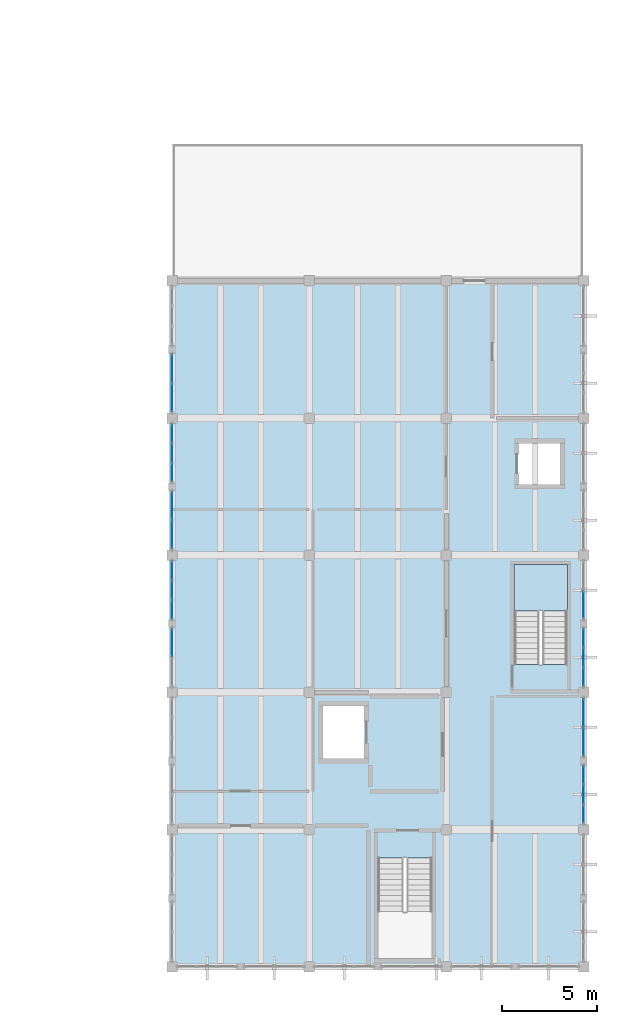
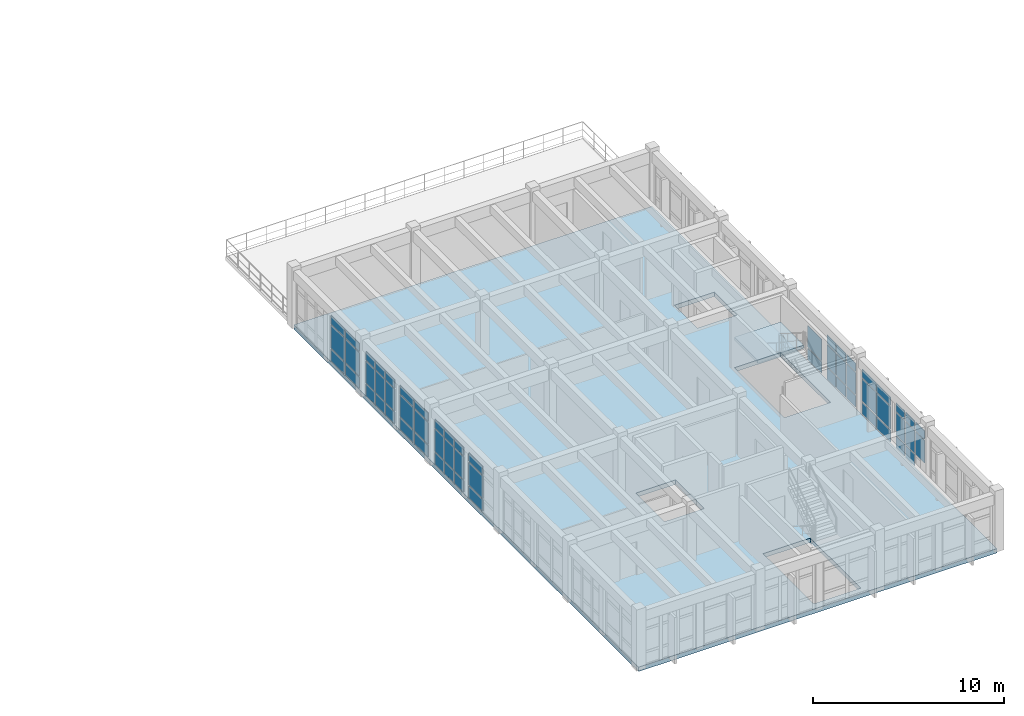
# One storey, part 13 of 22: 58 plates, 2 slabs, 10 elements without a shape of their own.
"""IFC4 building model written with IfcOpenShell, lengths in metres."""

from ifc_helpers import new_model, si_unit, direction, frame, origin, origin_2d, place, context, subcontext, project, spatial, polyline, rectangle, outline, extrude, material, layer, layer_set, type_object, element, aggregate, save


model = new_model("IFC4")

# Units and contexts
model_context = context("Model", 3, precision=1e-05, world=origin(), true_north=direction((0.0, 1.0)))
body_context = subcontext(model_context, "Body", "Model", "MODEL_VIEW")
ifc_project = project(units=[si_unit("LENGTHUNIT", "METRE"), si_unit("AREAUNIT", "SQUARE_METRE"), si_unit("VOLUMEUNIT", "CUBIC_METRE"), si_unit("PLANEANGLEUNIT", "RADIAN"), si_unit("MASSUNIT", "GRAM", prefix="KILO")], contexts=[model_context])

# Site, building, storey
site_placement = place(None, origin())
site = spatial("IfcSite", under=ifc_project, at=site_placement, CompositionType="ELEMENT")
building_placement = place(site_placement, origin())
building = spatial("IfcBuilding", under=site, at=building_placement, Name="Koriwan Promenade Central Fire Station", CompositionType="ELEMENT")
storey_placement = place(building_placement, frame((0.0, 0.0, 17.39990234375)))
storey = spatial("IfcBuildingStorey", under=building, at=storey_placement, Name="L04", CompositionType="ELEMENT", Elevation=17.39990234375)

# Curtain wall, plates
ifc_material_1 = material(Name="Aluminium EN AW-6063-T6 and low-E glazing", Category="aluminium")
ifc_layer_1 = layer(ifc_material_1, 0.159912109375, Name="Aluminium EN AW-6063-T6 and low-E glazing")
ifc_layer_set_1 = layer_set([ifc_layer_1], Name="Aluminium EN AW-6063-T6 and low-E glazing")
curtain_wall_type_1 = type_object("IfcCurtainWallType", Name="CurtainWall_85_312x301", PredefinedType="USERDEFINED", material=ifc_layer_set_1)
curtain_wall_1_placement = place(storey_placement, origin())
curtain_wall_1 = element("IfcCurtainWall", 1, at=curtain_wall_1_placement, inside=storey, type_object=curtain_wall_type_1, Name="V5 L04 unitised curtain wall 254", ObjectType="UNITISED CURTAIN WALL", PredefinedType="USERDEFINED")
ifc_material_2 = material(Name="Low-E laminated double glazing", Category="glass")
ifc_layer_2 = layer(ifc_material_2, 0.028076171875, Name="Low-E laminated double glazing")
ifc_layer_set_2 = layer_set([ifc_layer_2], Name="Low-E laminated double glazing")
plate_type_1 = type_object("IfcPlateType", Name="CWPanel_28", PredefinedType="CURTAIN_PANEL", material=ifc_layer_set_2)
plate_1_placement = place(storey_placement, frame((172.800048828125, 11.80126953125, 0.080078125), z_axis=(0.0, 0.0, 1.0), x_axis=(0.0, 1.0, 0.0)))
plate_1 = element("IfcPlate", 2, at=plate_1_placement, type_object=plate_type_1, Name="CW-85 panel 1.1", PredefinedType="CURTAIN_PANEL", context=body_context, shape_type="SweptSolid", body=[
    extrude(rectangle(XDim=1.4423828125, YDim=0.028076171875, at=origin_2d()), origin(), (0.0, 0.0, 1.0), 0.72998046875),
])
plate_2_placement = place(storey_placement, frame((172.800048828125, 11.80126953125, 0.89013671875), z_axis=(0.0, 0.0, 1.0), x_axis=(0.0, 1.0, 0.0)))
plate_2 = element("IfcPlate", 3, at=plate_2_placement, type_object=plate_type_1, Name="CW-85 panel 1.2", PredefinedType="CURTAIN_PANEL", context=body_context, shape_type="SweptSolid", body=[
    extrude(rectangle(XDim=1.4423828125, YDim=0.028076171875, at=origin_2d()), origin(), (0.0, 0.0, 1.0), 1.429931640625),
])
plate_3_placement = place(storey_placement, frame((172.800048828125, 11.80126953125, 2.39990234375), z_axis=(0.0, 0.0, 1.0), x_axis=(0.0, 1.0, 0.0)))
plate_3 = element("IfcPlate", 4, at=plate_3_placement, type_object=plate_type_1, Name="CW-85 panel 1.3", PredefinedType="CURTAIN_PANEL", context=body_context, shape_type="SweptSolid", body=[
    extrude(rectangle(XDim=1.4423828125, YDim=0.028076171875, at=origin_2d()), origin(), (0.0, 0.0, 1.0), 0.530029296875),
])
plate_4_placement = place(storey_placement, frame((172.800048828125, 13.32373046875, 0.080078125), z_axis=(0.0, 0.0, 1.0), x_axis=(0.0, 1.0, 0.0)))
plate_4 = element("IfcPlate", 5, at=plate_4_placement, type_object=plate_type_1, Name="CW-85 panel 2.1", PredefinedType="CURTAIN_PANEL", context=body_context, shape_type="SweptSolid", body=[
    extrude(rectangle(XDim=1.4423828125, YDim=0.028076171875, at=origin_2d()), origin(), (0.0, 0.0, 1.0), 0.72998046875),
])
plate_5_placement = place(storey_placement, frame((172.800048828125, 13.32373046875, 0.89013671875), z_axis=(0.0, 0.0, 1.0), x_axis=(0.0, 1.0, 0.0)))
plate_5 = element("IfcPlate", 6, at=plate_5_placement, type_object=plate_type_1, Name="CW-85 panel 2.2", PredefinedType="CURTAIN_PANEL", context=body_context, shape_type="SweptSolid", body=[
    extrude(rectangle(XDim=1.4423828125, YDim=0.028076171875, at=origin_2d()), origin(), (0.0, 0.0, 1.0), 1.429931640625),
])
plate_6_placement = place(storey_placement, frame((172.800048828125, 13.32373046875, 2.39990234375), z_axis=(0.0, 0.0, 1.0), x_axis=(0.0, 1.0, 0.0)))
plate_6 = element("IfcPlate", 7, at=plate_6_placement, type_object=plate_type_1, Name="CW-85 panel 2.3", PredefinedType="CURTAIN_PANEL", context=body_context, shape_type="SweptSolid", body=[
    extrude(rectangle(XDim=1.4423828125, YDim=0.028076171875, at=origin_2d()), origin(), (0.0, 0.0, 1.0), 0.530029296875),
])
aggregate(curtain_wall_1, [plate_1, plate_2, plate_3, plate_4, plate_5, plate_6])

ifc_layer_3 = layer(ifc_material_1, 0.159912109375, Name="Aluminium EN AW-6063-T6 and low-E glazing")
ifc_layer_set_3 = layer_set([ifc_layer_3], Name="Aluminium EN AW-6063-T6 and low-E glazing")
curtain_wall_type_2 = type_object("IfcCurtainWallType", Name="CurtainWall_83_312x296", PredefinedType="USERDEFINED", material=ifc_layer_set_3)
curtain_wall_2_placement = place(storey_placement, origin())
curtain_wall_2 = element("IfcCurtainWall", 8, at=curtain_wall_2_placement, inside=storey, type_object=curtain_wall_type_2, Name="V5 L04 unitised curtain wall 256", ObjectType="UNITISED CURTAIN WALL", PredefinedType="USERDEFINED")
plate_7_placement = place(storey_placement, frame((172.800048828125, 19.001220703125, 0.080078125), z_axis=(0.0, 0.0, 1.0), x_axis=(0.0, 1.0, 0.0)))
plate_7 = element("IfcPlate", 9, at=plate_7_placement, type_object=plate_type_1, Name="CW-83 panel 1.1", PredefinedType="CURTAIN_PANEL", context=body_context, shape_type="SweptSolid", body=[
    extrude(rectangle(XDim=1.4423828125, YDim=0.028076171875, at=origin_2d()), origin(), (0.0, 0.0, 1.0), 0.72998046875),
])
plate_8_placement = place(storey_placement, frame((172.800048828125, 19.001220703125, 0.89013671875), z_axis=(0.0, 0.0, 1.0), x_axis=(0.0, 1.0, 0.0)))
plate_8 = element("IfcPlate", 10, at=plate_8_placement, type_object=plate_type_1, Name="CW-83 panel 1.2", PredefinedType="CURTAIN_PANEL", context=body_context, shape_type="SweptSolid", body=[
    extrude(rectangle(XDim=1.4423828125, YDim=0.028076171875, at=origin_2d()), origin(), (0.0, 0.0, 1.0), 1.3798828125),
])
aggregate(curtain_wall_2, [plate_7, plate_8])

ifc_layer_4 = layer(ifc_material_1, 0.159912109375, Name="Aluminium EN AW-6063-T6 and low-E glazing")
ifc_layer_set_4 = layer_set([ifc_layer_4], Name="Aluminium EN AW-6063-T6 and low-E glazing")
curtain_wall_type_3 = type_object("IfcCurtainWallType", Name="CurtainWall_89_313x305", PredefinedType="USERDEFINED", material=ifc_layer_set_4)
curtain_wall_3_placement = place(storey_placement, origin())
curtain_wall_3 = element("IfcCurtainWall", 11, at=curtain_wall_3_placement, inside=storey, type_object=curtain_wall_type_3, Name="V5 L04 unitised curtain wall 262", ObjectType="UNITISED CURTAIN WALL", PredefinedType="USERDEFINED")
plate_9_placement = place(storey_placement, frame((151.199951171875, 31.398681640625, 0.080078125), z_axis=(0.0, 0.0, 1.0), x_axis=(0.0, -1.0, 0.0)))
plate_9 = element("IfcPlate", 12, at=plate_9_placement, type_object=plate_type_1, Name="CW-89 panel 1.1", PredefinedType="CURTAIN_PANEL", context=body_context, shape_type="SweptSolid", body=[
    extrude(rectangle(XDim=1.4423828125, YDim=0.028076171875, at=origin_2d()), origin(), (0.0, 0.0, 1.0), 0.72998046875),
])
plate_10_placement = place(storey_placement, frame((151.199951171875, 31.398681640625, 0.89013671875), z_axis=(0.0, 0.0, 1.0), x_axis=(0.0, -1.0, 0.0)))
plate_10 = element("IfcPlate", 13, at=plate_10_placement, type_object=plate_type_1, Name="CW-89 panel 1.2", PredefinedType="CURTAIN_PANEL", context=body_context, shape_type="SweptSolid", body=[
    extrude(rectangle(XDim=1.4423828125, YDim=0.028076171875, at=origin_2d()), origin(), (0.0, 0.0, 1.0), 1.469970703125),
])
plate_11_placement = place(storey_placement, frame((151.199951171875, 31.398681640625, 2.43994140625), z_axis=(0.0, 0.0, 1.0), x_axis=(0.0, -1.0, 0.0)))
plate_11 = element("IfcPlate", 14, at=plate_11_placement, type_object=plate_type_1, Name="CW-89 panel 1.3", PredefinedType="CURTAIN_PANEL", context=body_context, shape_type="SweptSolid", body=[
    extrude(rectangle(XDim=1.4423828125, YDim=0.028076171875, at=origin_2d()), origin(), (0.0, 0.0, 1.0), 0.530029296875),
])
plate_12_placement = place(storey_placement, frame((151.199951171875, 29.876220703125, 0.080078125), z_axis=(0.0, 0.0, 1.0), x_axis=(0.0, -1.0, 0.0)))
plate_12 = element("IfcPlate", 15, at=plate_12_placement, type_object=plate_type_1, Name="CW-89 panel 2.1", PredefinedType="CURTAIN_PANEL", context=body_context, shape_type="SweptSolid", body=[
    extrude(rectangle(XDim=1.4423828125, YDim=0.028076171875, at=origin_2d()), origin(), (0.0, 0.0, 1.0), 0.72998046875),
])
plate_13_placement = place(storey_placement, frame((151.199951171875, 29.876220703125, 0.89013671875), z_axis=(0.0, 0.0, 1.0), x_axis=(0.0, -1.0, 0.0)))
plate_13 = element("IfcPlate", 16, at=plate_13_placement, type_object=plate_type_1, Name="CW-89 panel 2.2", PredefinedType="CURTAIN_PANEL", context=body_context, shape_type="SweptSolid", body=[
    extrude(rectangle(XDim=1.4423828125, YDim=0.028076171875, at=origin_2d()), origin(), (0.0, 0.0, 1.0), 1.469970703125),
])
plate_14_placement = place(storey_placement, frame((151.199951171875, 29.876220703125, 2.43994140625), z_axis=(0.0, 0.0, 1.0), x_axis=(0.0, -1.0, 0.0)))
plate_14 = element("IfcPlate", 17, at=plate_14_placement, type_object=plate_type_1, Name="CW-89 panel 2.3", PredefinedType="CURTAIN_PANEL", context=body_context, shape_type="SweptSolid", body=[
    extrude(rectangle(XDim=1.4423828125, YDim=0.028076171875, at=origin_2d()), origin(), (0.0, 0.0, 1.0), 0.530029296875),
])
aggregate(curtain_wall_3, [plate_9, plate_10, plate_11, plate_12, plate_13, plate_14])

curtain_wall_4_placement = place(storey_placement, origin())
curtain_wall_4 = element("IfcCurtainWall", 18, at=curtain_wall_4_placement, inside=storey, type_object=curtain_wall_type_2, Name="V5 L04 unitised curtain wall 264", ObjectType="UNITISED CURTAIN WALL", PredefinedType="USERDEFINED")
plate_15_placement = place(storey_placement, frame((151.199951171875, 24.19873046875, 0.080078125), z_axis=(0.0, 0.0, 1.0), x_axis=(0.0, -1.0, 0.0)))
plate_15 = element("IfcPlate", 19, at=plate_15_placement, type_object=plate_type_1, Name="CW-83 panel 1.1", PredefinedType="CURTAIN_PANEL", context=body_context, shape_type="SweptSolid", body=[
    extrude(rectangle(XDim=1.4423828125, YDim=0.028076171875, at=origin_2d()), origin(), (0.0, 0.0, 1.0), 0.72998046875),
])
plate_16_placement = place(storey_placement, frame((151.199951171875, 24.19873046875, 0.89013671875), z_axis=(0.0, 0.0, 1.0), x_axis=(0.0, -1.0, 0.0)))
plate_16 = element("IfcPlate", 20, at=plate_16_placement, type_object=plate_type_1, Name="CW-83 panel 1.2", PredefinedType="CURTAIN_PANEL", context=body_context, shape_type="SweptSolid", body=[
    extrude(rectangle(XDim=1.4423828125, YDim=0.028076171875, at=origin_2d()), origin(), (0.0, 0.0, 1.0), 1.3798828125),
])
plate_17_placement = place(storey_placement, frame((151.199951171875, 24.19873046875, 2.35009765625), z_axis=(0.0, 0.0, 1.0), x_axis=(0.0, -1.0, 0.0)))
plate_17 = element("IfcPlate", 21, at=plate_17_placement, type_object=plate_type_1, Name="CW-83 panel 1.3", PredefinedType="CURTAIN_PANEL", context=body_context, shape_type="SweptSolid", body=[
    extrude(rectangle(XDim=1.4423828125, YDim=0.028076171875, at=origin_2d()), origin(), (0.0, 0.0, 1.0), 0.530029296875),
])
plate_18_placement = place(storey_placement, frame((151.199951171875, 22.67626953125, 0.080078125), z_axis=(0.0, 0.0, 1.0), x_axis=(0.0, -1.0, 0.0)))
plate_18 = element("IfcPlate", 22, at=plate_18_placement, type_object=plate_type_1, Name="CW-83 panel 2.1", PredefinedType="CURTAIN_PANEL", context=body_context, shape_type="SweptSolid", body=[
    extrude(rectangle(XDim=1.4423828125, YDim=0.028076171875, at=origin_2d()), origin(), (0.0, 0.0, 1.0), 0.72998046875),
])
plate_19_placement = place(storey_placement, frame((151.199951171875, 22.67626953125, 0.89013671875), z_axis=(0.0, 0.0, 1.0), x_axis=(0.0, -1.0, 0.0)))
plate_19 = element("IfcPlate", 23, at=plate_19_placement, type_object=plate_type_1, Name="CW-83 panel 2.2", PredefinedType="CURTAIN_PANEL", context=body_context, shape_type="SweptSolid", body=[
    extrude(rectangle(XDim=1.4423828125, YDim=0.028076171875, at=origin_2d()), origin(), (0.0, 0.0, 1.0), 1.3798828125),
])
plate_20_placement = place(storey_placement, frame((151.199951171875, 22.67626953125, 2.35009765625), z_axis=(0.0, 0.0, 1.0), x_axis=(0.0, -1.0, 0.0)))
plate_20 = element("IfcPlate", 24, at=plate_20_placement, type_object=plate_type_1, Name="CW-83 panel 2.3", PredefinedType="CURTAIN_PANEL", context=body_context, shape_type="SweptSolid", body=[
    extrude(rectangle(XDim=1.4423828125, YDim=0.028076171875, at=origin_2d()), origin(), (0.0, 0.0, 1.0), 0.530029296875),
])
aggregate(curtain_wall_4, [plate_15, plate_16, plate_17, plate_18, plate_19, plate_20])

curtain_wall_5_placement = place(storey_placement, origin())
curtain_wall_5 = element("IfcCurtainWall", 25, at=curtain_wall_5_placement, inside=storey, type_object=curtain_wall_type_1, Name="V5 L04 unitised curtain wall 266", ObjectType="UNITISED CURTAIN WALL", PredefinedType="USERDEFINED")
plate_21_placement = place(storey_placement, frame((151.199951171875, 16.998779296875, 0.080078125), z_axis=(0.0, 0.0, 1.0), x_axis=(0.0, -1.0, 0.0)))
plate_21 = element("IfcPlate", 26, at=plate_21_placement, type_object=plate_type_1, Name="CW-85 panel 1.1", PredefinedType="CURTAIN_PANEL", context=body_context, shape_type="SweptSolid", body=[
    extrude(rectangle(XDim=1.4423828125, YDim=0.028076171875, at=origin_2d()), origin(), (0.0, 0.0, 1.0), 0.72998046875),
])
plate_22_placement = place(storey_placement, frame((151.199951171875, 16.998779296875, 0.89013671875), z_axis=(0.0, 0.0, 1.0), x_axis=(0.0, -1.0, 0.0)))
plate_22 = element("IfcPlate", 27, at=plate_22_placement, type_object=plate_type_1, Name="CW-85 panel 1.2", PredefinedType="CURTAIN_PANEL", context=body_context, shape_type="SweptSolid", body=[
    extrude(rectangle(XDim=1.4423828125, YDim=0.028076171875, at=origin_2d()), origin(), (0.0, 0.0, 1.0), 1.429931640625),
])
plate_23_placement = place(storey_placement, frame((151.199951171875, 16.998779296875, 2.39990234375), z_axis=(0.0, 0.0, 1.0), x_axis=(0.0, -1.0, 0.0)))
plate_23 = element("IfcPlate", 28, at=plate_23_placement, type_object=plate_type_1, Name="CW-85 panel 1.3", PredefinedType="CURTAIN_PANEL", context=body_context, shape_type="SweptSolid", body=[
    extrude(rectangle(XDim=1.4423828125, YDim=0.028076171875, at=origin_2d()), origin(), (0.0, 0.0, 1.0), 0.530029296875),
])
aggregate(curtain_wall_5, [plate_21, plate_22, plate_23])

ifc_layer_5 = layer(ifc_material_1, 0.159912109375, Name="Aluminium EN AW-6063-T6 and low-E glazing")
ifc_layer_set_5 = layer_set([ifc_layer_5], Name="Aluminium EN AW-6063-T6 and low-E glazing")
curtain_wall_type_4 = type_object("IfcCurtainWallType", Name="CurtainWall_84_312x301", PredefinedType="USERDEFINED", material=ifc_layer_set_5)
curtain_wall_6_placement = place(storey_placement, origin())
curtain_wall_6 = element("IfcCurtainWall", 29, at=curtain_wall_6_placement, inside=storey, type_object=curtain_wall_type_4, Name="V5 L04 unitised curtain wall 253", ObjectType="UNITISED CURTAIN WALL", PredefinedType="USERDEFINED")
ifc_material_3 = material(Name="Solar-control low-E acoustic glazing", Category="glass")
ifc_layer_6 = layer(ifc_material_3, 0.031982421875, Name="Solar-control low-E acoustic glazing")
ifc_layer_set_6 = layer_set([ifc_layer_6], Name="Solar-control low-E acoustic glazing")
plate_type_2 = type_object("IfcPlateType", Name="CWPanel_32", PredefinedType="CURTAIN_PANEL", material=ifc_layer_set_6)
plate_24_placement = place(storey_placement, frame((172.800048828125, 8.0146484375, 0.887451171875), z_axis=(0.0, 0.0, 1.0), x_axis=(0.0, 1.0, 0.0)))
plate_24 = element("IfcPlate", 30, at=plate_24_placement, type_object=plate_type_2, Name="CW-84 panel 1.2", PredefinedType="CURTAIN_PANEL", context=body_context, shape_type="SweptSolid", body=[
    extrude(rectangle(XDim=0.92919921875, YDim=0.031982421875, at=origin_2d()), origin(), (0.0, 0.0, 1.0), 1.43505859375),
])
plate_25_placement = place(storey_placement, frame((172.800048828125, 8.0146484375, 2.3974609375), z_axis=(0.0, 0.0, 1.0), x_axis=(0.0, 1.0, 0.0)))
plate_25 = element("IfcPlate", 31, at=plate_25_placement, type_object=plate_type_2, Name="CW-84 panel 1.3", PredefinedType="CURTAIN_PANEL", context=body_context, shape_type="SweptSolid", body=[
    extrude(rectangle(XDim=0.92919921875, YDim=0.031982421875, at=origin_2d()), origin(), (0.0, 0.0, 1.0), 0.53759765625),
])
plate_26_placement = place(storey_placement, frame((172.800048828125, 9.03759765625, 0.0751953125), z_axis=(0.0, 0.0, 1.0), x_axis=(0.0, 1.0, 0.0)))
plate_26 = element("IfcPlate", 32, at=plate_26_placement, type_object=plate_type_2, Name="CW-84 panel 2.1", PredefinedType="CURTAIN_PANEL", context=body_context, shape_type="SweptSolid", body=[
    extrude(rectangle(XDim=0.966552734375, YDim=0.031982421875, at=origin_2d()), origin(), (0.0, 0.0, 1.0), 0.737548828125),
])
plate_27_placement = place(storey_placement, frame((172.800048828125, 9.03759765625, 0.887451171875), z_axis=(0.0, 0.0, 1.0), x_axis=(0.0, 1.0, 0.0)))
plate_27 = element("IfcPlate", 33, at=plate_27_placement, type_object=plate_type_2, Name="CW-84 panel 2.2", PredefinedType="CURTAIN_PANEL", context=body_context, shape_type="SweptSolid", body=[
    extrude(rectangle(XDim=0.966552734375, YDim=0.031982421875, at=origin_2d()), origin(), (0.0, 0.0, 1.0), 1.43505859375),
])
plate_28_placement = place(storey_placement, frame((172.800048828125, 9.03759765625, 2.3974609375), z_axis=(0.0, 0.0, 1.0), x_axis=(0.0, 1.0, 0.0)))
plate_28 = element("IfcPlate", 34, at=plate_28_placement, type_object=plate_type_2, Name="CW-84 panel 2.3", PredefinedType="CURTAIN_PANEL", context=body_context, shape_type="SweptSolid", body=[
    extrude(rectangle(XDim=0.966552734375, YDim=0.031982421875, at=origin_2d()), origin(), (0.0, 0.0, 1.0), 0.53759765625),
])
plate_29_placement = place(storey_placement, frame((172.800048828125, 10.060302734375, 0.0751953125), z_axis=(0.0, 0.0, 1.0), x_axis=(0.0, 1.0, 0.0)))
plate_29 = element("IfcPlate", 35, at=plate_29_placement, type_object=plate_type_2, Name="CW-84 panel 3.1", PredefinedType="CURTAIN_PANEL", context=body_context, shape_type="SweptSolid", body=[
    extrude(rectangle(XDim=0.92919921875, YDim=0.031982421875, at=origin_2d()), origin(), (0.0, 0.0, 1.0), 0.737548828125),
])
plate_30_placement = place(storey_placement, frame((172.800048828125, 10.060302734375, 0.887451171875), z_axis=(0.0, 0.0, 1.0), x_axis=(0.0, 1.0, 0.0)))
plate_30 = element("IfcPlate", 36, at=plate_30_placement, type_object=plate_type_2, Name="CW-84 panel 3.2", PredefinedType="CURTAIN_PANEL", context=body_context, shape_type="SweptSolid", body=[
    extrude(rectangle(XDim=0.92919921875, YDim=0.031982421875, at=origin_2d()), origin(), (0.0, 0.0, 1.0), 1.43505859375),
])
plate_31_placement = place(storey_placement, frame((172.800048828125, 10.060302734375, 2.3974609375), z_axis=(0.0, 0.0, 1.0), x_axis=(0.0, 1.0, 0.0)))
plate_31 = element("IfcPlate", 37, at=plate_31_placement, type_object=plate_type_2, Name="CW-84 panel 3.3", PredefinedType="CURTAIN_PANEL", context=body_context, shape_type="SweptSolid", body=[
    extrude(rectangle(XDim=0.92919921875, YDim=0.031982421875, at=origin_2d()), origin(), (0.0, 0.0, 1.0), 0.53759765625),
])
aggregate(curtain_wall_6, [plate_24, plate_25, plate_26, plate_27, plate_28, plate_29, plate_30, plate_31])

ifc_layer_7 = layer(ifc_material_1, 0.159912109375, Name="Aluminium EN AW-6063-T6 and low-E glazing")
ifc_layer_set_7 = layer_set([ifc_layer_7], Name="Aluminium EN AW-6063-T6 and low-E glazing")
curtain_wall_type_5 = type_object("IfcCurtainWallType", Name="CurtainWall_82_312x296", PredefinedType="USERDEFINED", material=ifc_layer_set_7)
curtain_wall_7_placement = place(storey_placement, origin())
curtain_wall_7 = element("IfcCurtainWall", 38, at=curtain_wall_7_placement, inside=storey, type_object=curtain_wall_type_5, Name="V5 L04 unitised curtain wall 255", ObjectType="UNITISED CURTAIN WALL", PredefinedType="USERDEFINED")
plate_32_placement = place(storey_placement, frame((172.800048828125, 15.214599609375, 0.0751953125), z_axis=(0.0, 0.0, 1.0), x_axis=(0.0, 1.0, 0.0)))
plate_32 = element("IfcPlate", 39, at=plate_32_placement, type_object=plate_type_2, Name="CW-82 panel 1.1", PredefinedType="CURTAIN_PANEL", context=body_context, shape_type="SweptSolid", body=[
    extrude(rectangle(XDim=0.92919921875, YDim=0.031982421875, at=origin_2d()), origin(), (0.0, 0.0, 1.0), 0.737548828125),
])
plate_33_placement = place(storey_placement, frame((172.800048828125, 15.214599609375, 0.8876953125), z_axis=(0.0, 0.0, 1.0), x_axis=(0.0, 1.0, 0.0)))
plate_33 = element("IfcPlate", 40, at=plate_33_placement, type_object=plate_type_2, Name="CW-82 panel 1.2", PredefinedType="CURTAIN_PANEL", context=body_context, shape_type="SweptSolid", body=[
    extrude(rectangle(XDim=0.92919921875, YDim=0.031982421875, at=origin_2d()), origin(), (0.0, 0.0, 1.0), 1.385009765625),
])
plate_34_placement = place(storey_placement, frame((172.800048828125, 15.214599609375, 2.34765625), z_axis=(0.0, 0.0, 1.0), x_axis=(0.0, 1.0, 0.0)))
plate_34 = element("IfcPlate", 41, at=plate_34_placement, type_object=plate_type_2, Name="CW-82 panel 1.3", PredefinedType="CURTAIN_PANEL", context=body_context, shape_type="SweptSolid", body=[
    extrude(rectangle(XDim=0.92919921875, YDim=0.031982421875, at=origin_2d()), origin(), (0.0, 0.0, 1.0), 0.53759765625),
])
plate_35_placement = place(storey_placement, frame((172.800048828125, 16.237548828125, 0.0751953125), z_axis=(0.0, 0.0, 1.0), x_axis=(0.0, 1.0, 0.0)))
plate_35 = element("IfcPlate", 42, at=plate_35_placement, type_object=plate_type_2, Name="CW-82 panel 2.1", PredefinedType="CURTAIN_PANEL", context=body_context, shape_type="SweptSolid", body=[
    extrude(rectangle(XDim=0.966552734375, YDim=0.031982421875, at=origin_2d()), origin(), (0.0, 0.0, 1.0), 0.737548828125),
])
plate_36_placement = place(storey_placement, frame((172.800048828125, 16.237548828125, 0.8876953125), z_axis=(0.0, 0.0, 1.0), x_axis=(0.0, 1.0, 0.0)))
plate_36 = element("IfcPlate", 43, at=plate_36_placement, type_object=plate_type_2, Name="CW-82 panel 2.2", PredefinedType="CURTAIN_PANEL", context=body_context, shape_type="SweptSolid", body=[
    extrude(rectangle(XDim=0.966552734375, YDim=0.031982421875, at=origin_2d()), origin(), (0.0, 0.0, 1.0), 1.385009765625),
])
plate_37_placement = place(storey_placement, frame((172.800048828125, 16.237548828125, 2.34765625), z_axis=(0.0, 0.0, 1.0), x_axis=(0.0, 1.0, 0.0)))
plate_37 = element("IfcPlate", 44, at=plate_37_placement, type_object=plate_type_2, Name="CW-82 panel 2.3", PredefinedType="CURTAIN_PANEL", context=body_context, shape_type="SweptSolid", body=[
    extrude(rectangle(XDim=0.966552734375, YDim=0.031982421875, at=origin_2d()), origin(), (0.0, 0.0, 1.0), 0.53759765625),
])
plate_38_placement = place(storey_placement, frame((172.800048828125, 17.260498046875, 0.0751953125), z_axis=(0.0, 0.0, 1.0), x_axis=(0.0, 1.0, 0.0)))
plate_38 = element("IfcPlate", 45, at=plate_38_placement, type_object=plate_type_2, Name="CW-82 panel 3.1", PredefinedType="CURTAIN_PANEL", context=body_context, shape_type="SweptSolid", body=[
    extrude(rectangle(XDim=0.92919921875, YDim=0.031982421875, at=origin_2d()), origin(), (0.0, 0.0, 1.0), 0.737548828125),
])
plate_39_placement = place(storey_placement, frame((172.800048828125, 17.260498046875, 0.8876953125), z_axis=(0.0, 0.0, 1.0), x_axis=(0.0, 1.0, 0.0)))
plate_39 = element("IfcPlate", 46, at=plate_39_placement, type_object=plate_type_2, Name="CW-82 panel 3.2", PredefinedType="CURTAIN_PANEL", context=body_context, shape_type="SweptSolid", body=[
    extrude(rectangle(XDim=0.92919921875, YDim=0.031982421875, at=origin_2d()), origin(), (0.0, 0.0, 1.0), 1.385009765625),
])
plate_40_placement = place(storey_placement, frame((172.800048828125, 17.260498046875, 2.34765625), z_axis=(0.0, 0.0, 1.0), x_axis=(0.0, 1.0, 0.0)))
plate_40 = element("IfcPlate", 47, at=plate_40_placement, type_object=plate_type_2, Name="CW-82 panel 3.3", PredefinedType="CURTAIN_PANEL", context=body_context, shape_type="SweptSolid", body=[
    extrude(rectangle(XDim=0.92919921875, YDim=0.031982421875, at=origin_2d()), origin(), (0.0, 0.0, 1.0), 0.53759765625),
])
aggregate(curtain_wall_7, [plate_32, plate_33, plate_34, plate_35, plate_36, plate_37, plate_38, plate_39, plate_40])

curtain_wall_8_placement = place(storey_placement, origin())
curtain_wall_8 = element("IfcCurtainWall", 48, at=curtain_wall_8_placement, inside=storey, type_object=curtain_wall_type_5, Name="V5 L04 unitised curtain wall 263", ObjectType="UNITISED CURTAIN WALL", PredefinedType="USERDEFINED")
plate_41_placement = place(storey_placement, frame((151.199951171875, 27.9853515625, 0.0751953125), z_axis=(0.0, 0.0, 1.0), x_axis=(0.0, -1.0, 0.0)))
plate_41 = element("IfcPlate", 49, at=plate_41_placement, type_object=plate_type_2, Name="CW-82 panel 1.1", PredefinedType="CURTAIN_PANEL", context=body_context, shape_type="SweptSolid", body=[
    extrude(rectangle(XDim=0.92919921875, YDim=0.031982421875, at=origin_2d()), origin(), (0.0, 0.0, 1.0), 0.737548828125),
])
plate_42_placement = place(storey_placement, frame((151.199951171875, 27.9853515625, 0.8876953125), z_axis=(0.0, 0.0, 1.0), x_axis=(0.0, -1.0, 0.0)))
plate_42 = element("IfcPlate", 50, at=plate_42_placement, type_object=plate_type_2, Name="CW-82 panel 1.2", PredefinedType="CURTAIN_PANEL", context=body_context, shape_type="SweptSolid", body=[
    extrude(rectangle(XDim=0.92919921875, YDim=0.031982421875, at=origin_2d()), origin(), (0.0, 0.0, 1.0), 1.385009765625),
])
plate_43_placement = place(storey_placement, frame((151.199951171875, 27.9853515625, 2.34765625), z_axis=(0.0, 0.0, 1.0), x_axis=(0.0, -1.0, 0.0)))
plate_43 = element("IfcPlate", 51, at=plate_43_placement, type_object=plate_type_2, Name="CW-82 panel 1.3", PredefinedType="CURTAIN_PANEL", context=body_context, shape_type="SweptSolid", body=[
    extrude(rectangle(XDim=0.92919921875, YDim=0.031982421875, at=origin_2d()), origin(), (0.0, 0.0, 1.0), 0.53759765625),
])
plate_44_placement = place(storey_placement, frame((151.199951171875, 26.96240234375, 0.0751953125), z_axis=(0.0, 0.0, 1.0), x_axis=(0.0, -1.0, 0.0)))
plate_44 = element("IfcPlate", 52, at=plate_44_placement, type_object=plate_type_2, Name="CW-82 panel 2.1", PredefinedType="CURTAIN_PANEL", context=body_context, shape_type="SweptSolid", body=[
    extrude(rectangle(XDim=0.966552734375, YDim=0.031982421875, at=origin_2d()), origin(), (0.0, 0.0, 1.0), 0.737548828125),
])
plate_45_placement = place(storey_placement, frame((151.199951171875, 26.96240234375, 0.8876953125), z_axis=(0.0, 0.0, 1.0), x_axis=(0.0, -1.0, 0.0)))
plate_45 = element("IfcPlate", 53, at=plate_45_placement, type_object=plate_type_2, Name="CW-82 panel 2.2", PredefinedType="CURTAIN_PANEL", context=body_context, shape_type="SweptSolid", body=[
    extrude(rectangle(XDim=0.966552734375, YDim=0.031982421875, at=origin_2d()), origin(), (0.0, 0.0, 1.0), 1.385009765625),
])
plate_46_placement = place(storey_placement, frame((151.199951171875, 26.96240234375, 2.34765625), z_axis=(0.0, 0.0, 1.0), x_axis=(0.0, -1.0, 0.0)))
plate_46 = element("IfcPlate", 54, at=plate_46_placement, type_object=plate_type_2, Name="CW-82 panel 2.3", PredefinedType="CURTAIN_PANEL", context=body_context, shape_type="SweptSolid", body=[
    extrude(rectangle(XDim=0.966552734375, YDim=0.031982421875, at=origin_2d()), origin(), (0.0, 0.0, 1.0), 0.53759765625),
])
plate_47_placement = place(storey_placement, frame((151.199951171875, 25.939697265625, 0.0751953125), z_axis=(0.0, 0.0, 1.0), x_axis=(0.0, -1.0, 0.0)))
plate_47 = element("IfcPlate", 55, at=plate_47_placement, type_object=plate_type_2, Name="CW-82 panel 3.1", PredefinedType="CURTAIN_PANEL", context=body_context, shape_type="SweptSolid", body=[
    extrude(rectangle(XDim=0.92919921875, YDim=0.031982421875, at=origin_2d()), origin(), (0.0, 0.0, 1.0), 0.737548828125),
])
plate_48_placement = place(storey_placement, frame((151.199951171875, 25.939697265625, 0.8876953125), z_axis=(0.0, 0.0, 1.0), x_axis=(0.0, -1.0, 0.0)))
plate_48 = element("IfcPlate", 56, at=plate_48_placement, type_object=plate_type_2, Name="CW-82 panel 3.2", PredefinedType="CURTAIN_PANEL", context=body_context, shape_type="SweptSolid", body=[
    extrude(rectangle(XDim=0.92919921875, YDim=0.031982421875, at=origin_2d()), origin(), (0.0, 0.0, 1.0), 1.385009765625),
])
plate_49_placement = place(storey_placement, frame((151.199951171875, 25.939697265625, 2.34765625), z_axis=(0.0, 0.0, 1.0), x_axis=(0.0, -1.0, 0.0)))
plate_49 = element("IfcPlate", 57, at=plate_49_placement, type_object=plate_type_2, Name="CW-82 panel 3.3", PredefinedType="CURTAIN_PANEL", context=body_context, shape_type="SweptSolid", body=[
    extrude(rectangle(XDim=0.92919921875, YDim=0.031982421875, at=origin_2d()), origin(), (0.0, 0.0, 1.0), 0.53759765625),
])
aggregate(curtain_wall_8, [plate_41, plate_42, plate_43, plate_44, plate_45, plate_46, plate_47, plate_48, plate_49])

curtain_wall_9_placement = place(storey_placement, origin())
curtain_wall_9 = element("IfcCurtainWall", 58, at=curtain_wall_9_placement, inside=storey, type_object=curtain_wall_type_4, Name="V5 L04 unitised curtain wall 265", ObjectType="UNITISED CURTAIN WALL", PredefinedType="USERDEFINED")
plate_50_placement = place(storey_placement, frame((151.199951171875, 20.785400390625, 0.0751953125), z_axis=(0.0, 0.0, 1.0), x_axis=(0.0, -1.0, 0.0)))
plate_50 = element("IfcPlate", 59, at=plate_50_placement, type_object=plate_type_2, Name="CW-84 panel 1.1", PredefinedType="CURTAIN_PANEL", context=body_context, shape_type="SweptSolid", body=[
    extrude(rectangle(XDim=0.92919921875, YDim=0.031982421875, at=origin_2d()), origin(), (0.0, 0.0, 1.0), 0.737548828125),
])
plate_51_placement = place(storey_placement, frame((151.199951171875, 20.785400390625, 0.887451171875), z_axis=(0.0, 0.0, 1.0), x_axis=(0.0, -1.0, 0.0)))
plate_51 = element("IfcPlate", 60, at=plate_51_placement, type_object=plate_type_2, Name="CW-84 panel 1.2", PredefinedType="CURTAIN_PANEL", context=body_context, shape_type="SweptSolid", body=[
    extrude(rectangle(XDim=0.92919921875, YDim=0.031982421875, at=origin_2d()), origin(), (0.0, 0.0, 1.0), 1.43505859375),
])
plate_52_placement = place(storey_placement, frame((151.199951171875, 20.785400390625, 2.3974609375), z_axis=(0.0, 0.0, 1.0), x_axis=(0.0, -1.0, 0.0)))
plate_52 = element("IfcPlate", 61, at=plate_52_placement, type_object=plate_type_2, Name="CW-84 panel 1.3", PredefinedType="CURTAIN_PANEL", context=body_context, shape_type="SweptSolid", body=[
    extrude(rectangle(XDim=0.92919921875, YDim=0.031982421875, at=origin_2d()), origin(), (0.0, 0.0, 1.0), 0.53759765625),
])
plate_53_placement = place(storey_placement, frame((151.199951171875, 19.762451171875, 0.0751953125), z_axis=(0.0, 0.0, 1.0), x_axis=(0.0, -1.0, 0.0)))
plate_53 = element("IfcPlate", 62, at=plate_53_placement, type_object=plate_type_2, Name="CW-84 panel 2.1", PredefinedType="CURTAIN_PANEL", context=body_context, shape_type="SweptSolid", body=[
    extrude(rectangle(XDim=0.966552734375, YDim=0.031982421875, at=origin_2d()), origin(), (0.0, 0.0, 1.0), 0.737548828125),
])
plate_54_placement = place(storey_placement, frame((151.199951171875, 19.762451171875, 0.887451171875), z_axis=(0.0, 0.0, 1.0), x_axis=(0.0, -1.0, 0.0)))
plate_54 = element("IfcPlate", 63, at=plate_54_placement, type_object=plate_type_2, Name="CW-84 panel 2.2", PredefinedType="CURTAIN_PANEL", context=body_context, shape_type="SweptSolid", body=[
    extrude(rectangle(XDim=0.966552734375, YDim=0.031982421875, at=origin_2d()), origin(), (0.0, 0.0, 1.0), 1.43505859375),
])
plate_55_placement = place(storey_placement, frame((151.199951171875, 19.762451171875, 2.3974609375), z_axis=(0.0, 0.0, 1.0), x_axis=(0.0, -1.0, 0.0)))
plate_55 = element("IfcPlate", 64, at=plate_55_placement, type_object=plate_type_2, Name="CW-84 panel 2.3", PredefinedType="CURTAIN_PANEL", context=body_context, shape_type="SweptSolid", body=[
    extrude(rectangle(XDim=0.966552734375, YDim=0.031982421875, at=origin_2d()), origin(), (0.0, 0.0, 1.0), 0.53759765625),
])
plate_56_placement = place(storey_placement, frame((151.199951171875, 18.739501953125, 0.0751953125), z_axis=(0.0, 0.0, 1.0), x_axis=(0.0, -1.0, 0.0)))
plate_56 = element("IfcPlate", 65, at=plate_56_placement, type_object=plate_type_2, Name="CW-84 panel 3.1", PredefinedType="CURTAIN_PANEL", context=body_context, shape_type="SweptSolid", body=[
    extrude(rectangle(XDim=0.92919921875, YDim=0.031982421875, at=origin_2d()), origin(), (0.0, 0.0, 1.0), 0.737548828125),
])
plate_57_placement = place(storey_placement, frame((151.199951171875, 18.739501953125, 0.887451171875), z_axis=(0.0, 0.0, 1.0), x_axis=(0.0, -1.0, 0.0)))
plate_57 = element("IfcPlate", 66, at=plate_57_placement, type_object=plate_type_2, Name="CW-84 panel 3.2", PredefinedType="CURTAIN_PANEL", context=body_context, shape_type="SweptSolid", body=[
    extrude(rectangle(XDim=0.92919921875, YDim=0.031982421875, at=origin_2d()), origin(), (0.0, 0.0, 1.0), 1.43505859375),
])
plate_58_placement = place(storey_placement, frame((151.199951171875, 18.739501953125, 2.3974609375), z_axis=(0.0, 0.0, 1.0), x_axis=(0.0, -1.0, 0.0)))
plate_58 = element("IfcPlate", 67, at=plate_58_placement, type_object=plate_type_2, Name="CW-84 panel 3.3", PredefinedType="CURTAIN_PANEL", context=body_context, shape_type="SweptSolid", body=[
    extrude(rectangle(XDim=0.92919921875, YDim=0.031982421875, at=origin_2d()), origin(), (0.0, 0.0, 1.0), 0.53759765625),
])
aggregate(curtain_wall_9, [plate_50, plate_51, plate_52, plate_53, plate_54, plate_55, plate_56, plate_57, plate_58])

# Slab
ifc_material_4 = material(Name="Concrete C35/45", Category="concrete")
ifc_layer_8 = layer(ifc_material_4, 0.280029296875, Name="Concrete C35/45")
ifc_layer_set_8 = layer_set([ifc_layer_8], Name="Concrete C35/45")
slab_type_1 = type_object("IfcSlabType", Name="FloorSlab_280", PredefinedType="FLOOR", material=ifc_layer_set_8)
slab_1_placement = place(storey_placement, frame((0.0, 0.0, -0.27978515625)))
element("IfcSlab", 68, at=slab_1_placement, inside=storey, type_object=slab_type_1, Name="V5 L04 structural slab 1", PredefinedType="FLOOR", context=body_context, shape_type="SweptSolid", body=[
    extrude(outline(polyline([(172.800048828125, 36.0), (172.800048828125, 0.0), (151.199951171875, 0.0), (151.199951171875, 36.0), (172.800048828125, 36.0)]), holes=[polyline([(164.85009765625, 5.697998046875), (162.0, 5.697998046875), (162.0, 0.429931640625), (164.85009765625, 0.429931640625), (164.85009765625, 5.697998046875)]), polyline([(171.949951171875, 15.8720703125), (171.949951171875, 21.110107421875), (169.159912109375, 21.110107421875), (169.159912109375, 15.8720703125), (171.949951171875, 15.8720703125)]), polyline([(159.0, 10.800048828125), (161.39990234375, 10.800048828125), (161.39990234375, 13.800048828125), (159.0, 13.800048828125), (159.0, 10.800048828125)]), polyline([(171.699951171875, 27.60009765625), (169.300048828125, 27.60009765625), (169.300048828125, 25.199951171875), (171.699951171875, 25.199951171875), (171.699951171875, 27.60009765625)])]), origin(), (0.0, 0.0, 1.0), 0.27978515625),
])

# Stair, slab
stair_type = type_object("IfcStairType", Name="Stair_HALF_22R_1320", PredefinedType="HALF_TURN_STAIR", material=ifc_material_4)
stair_placement = place(storey_placement, origin())
stair = element("IfcStair", 69, at=stair_placement, inside=storey, type_object=stair_type, Name="L04 Protected Stair ST27", PredefinedType="HALF_TURN_STAIR")
ifc_layer_9 = layer(ifc_material_4, 0.199951171875, Name="Concrete C35/45")
ifc_layer_set_9 = layer_set([ifc_layer_9], Name="Concrete C35/45")
slab_type_2 = type_object("IfcSlabType", Name="StairLanding_200", PredefinedType="LANDING", material=ifc_layer_set_9)
slab_2_placement = place(storey_placement, frame((0.0, 0.0, 1.75)))
slab_2 = element("IfcSlab", 70, at=slab_2_placement, type_object=slab_type_2, Name="ST27 landing 1", PredefinedType="LANDING", context=body_context, shape_type="SweptSolid", body=[
    extrude(outline(polyline([(171.949951171875, 18.669921875), (171.949951171875, 21.110107421875), (169.159912109375, 21.110107421875), (169.159912109375, 18.669921875), (171.949951171875, 18.669921875)])), origin(), (0.0, 0.0, 1.0), 0.2001953125),
])
aggregate(stair, [slab_2])

save(model, "model.ifc")
